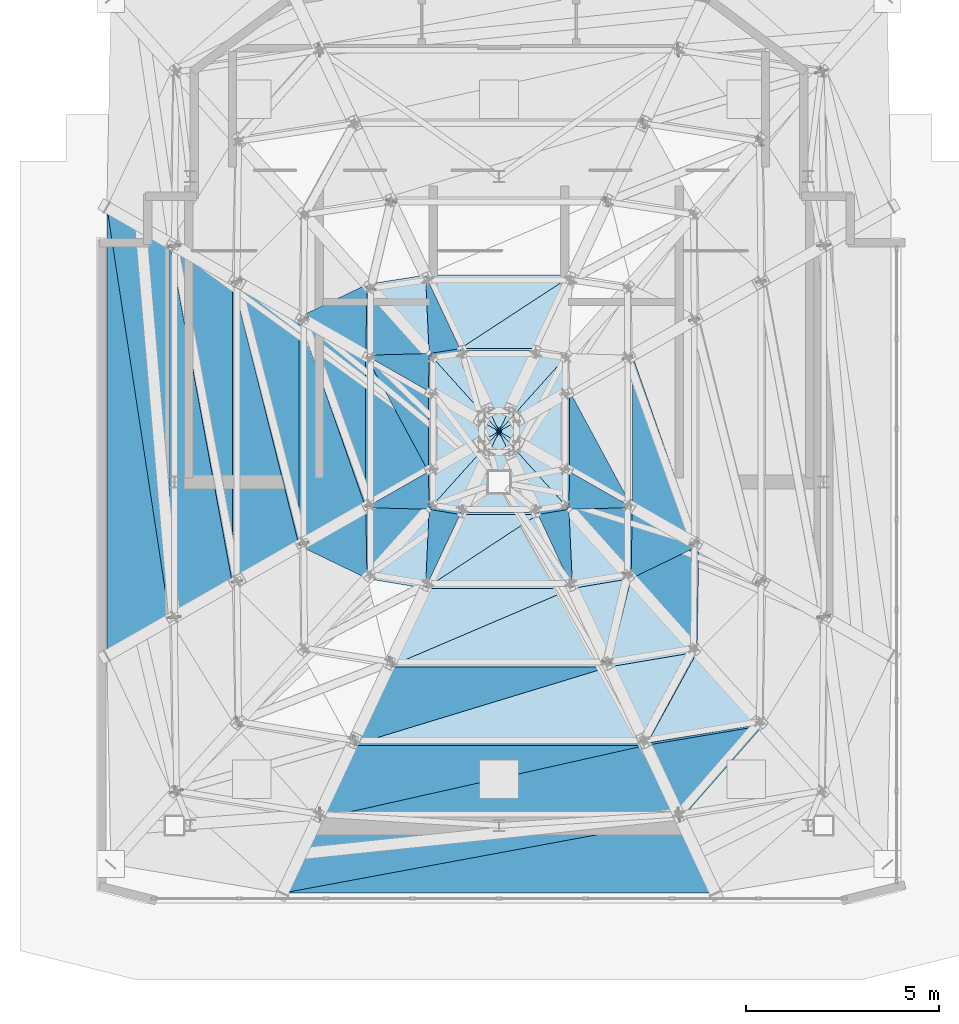
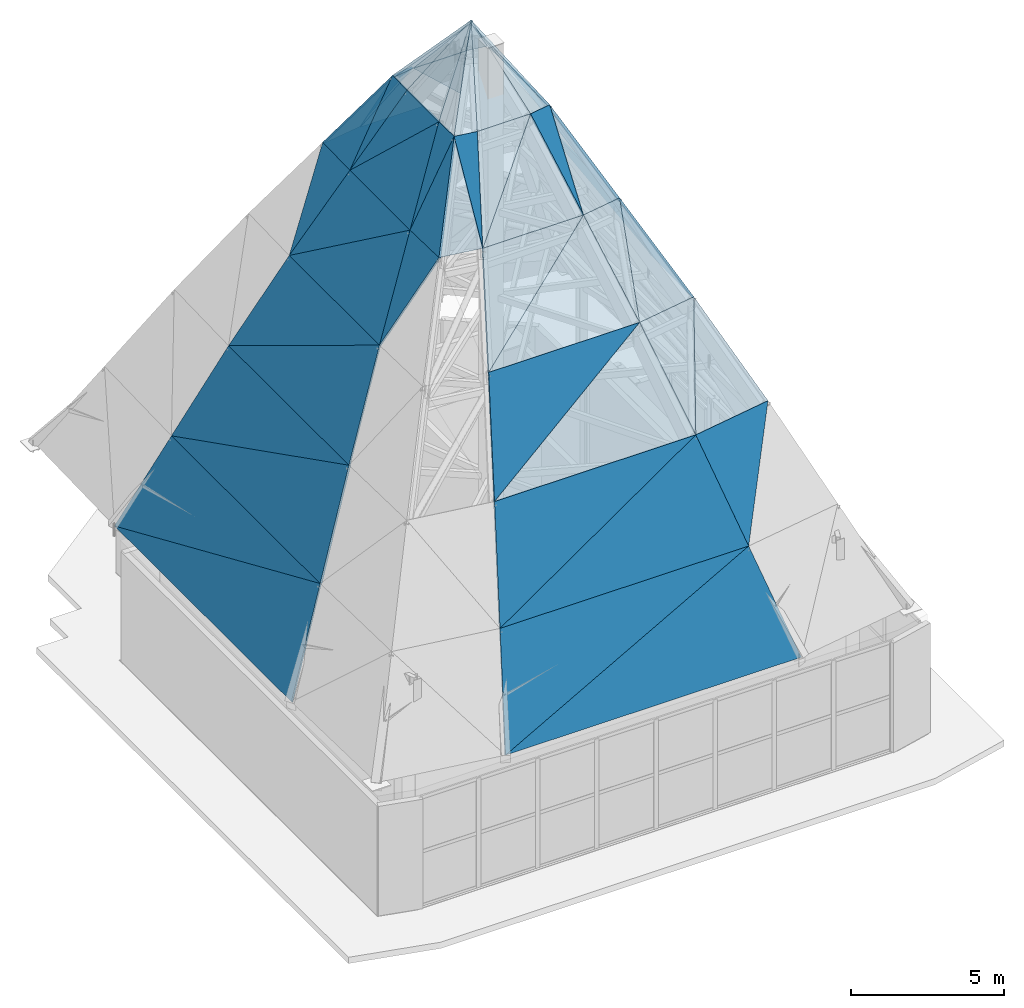
# One storey, part 27 of 30: 57 roofs.
"""IFC4 building model written with IfcOpenShell, lengths in metres."""

from ifc_helpers import new_model, si_unit, direction, frame, origin, place, context, subcontext, project, spatial, polyline, outline, extrude, material, layer, layer_set, type_object, element, save


model = new_model("IFC4")

# Units and contexts
model_context = context("Model", 3, precision=1e-05, world=origin(), true_north=direction((0.0, 1.0)))
body_context = subcontext(model_context, "Body", "Model", "MODEL_VIEW")
ifc_project = project(units=[si_unit("LENGTHUNIT", "METRE"), si_unit("AREAUNIT", "SQUARE_METRE"), si_unit("VOLUMEUNIT", "CUBIC_METRE"), si_unit("PLANEANGLEUNIT", "RADIAN"), si_unit("MASSUNIT", "GRAM", prefix="KILO")], contexts=[model_context])

# Site, building, storey
site_placement = place(None, origin())
site = spatial("IfcSite", under=ifc_project, at=site_placement, CompositionType="ELEMENT")
building_placement = place(site_placement, origin())
building = spatial("IfcBuilding", under=site, at=building_placement, Name="Haolan Belvedere Tower", CompositionType="ELEMENT")
storey_placement = place(building_placement, frame((0.0, 0.0, 333.0)))
storey = spatial("IfcBuildingStorey", under=building, at=storey_placement, Name="L83", CompositionType="ELEMENT", Elevation=333.0)

# Roofs
ifc_material_1 = material(Name="Anodised pale-metal champagne-silver aluminium cap", Category="aluminium")
ifc_layer_1 = layer(ifc_material_1, 0.1201171875, Name="Anodised pale-metal champagne-silver aluminium cap")
ifc_layer_set_1 = layer_set([ifc_layer_1], Name="Anodised pale-metal champagne-silver aluminium cap")
roof_type_1 = type_object("IfcRoofType", Name="ROOF-CRN-CAP", PredefinedType="PAVILION_ROOF", material=ifc_layer_set_1)
roof_1_placement = place(storey_placement, frame((36.591064453125, 34.583984375, 22.199951171875), z_axis=(-0.128683770203, -0.763492676374, 0.632866036701), x_axis=(0.986091729408, -0.166201989138, 0.0)))
element("IfcRoof", 1, at=roof_1_placement, inside=storey, type_object=roof_type_1, Name="Crown glass-point apex pavilion cap facet 01", PredefinedType="PAVILION_ROOF", context=body_context, shape_type="SweptSolid", body=[
    extrude(outline(polyline([(0.0, 0.0), (0.8123234043409382, 0.0), (1.4485980461130445, 3.6164131979179306), (0.0, 0.0)])), origin(), (0.0, 0.0, -1.0), 0.080078125),
])
roof_2_placement = place(storey_placement, frame((37.39208984375, 34.448974609375, 22.199951171875), z_axis=(0.0, -0.793001681844, 0.60921944535), x_axis=(1.0, 0.0, 0.0)))
element("IfcRoof", 2, at=roof_2_placement, inside=storey, type_object=roof_type_1, Name="Crown glass-point apex pavilion cap facet 02", PredefinedType="PAVILION_ROOF", context=body_context, shape_type="SweptSolid", body=[
    extrude(outline(polyline([(0.0, 0.0), (2.015869140625, 0.0), (1.0078125, 3.530949419445281), (0.0, 0.0)])), origin(), (0.0, 0.0, -1.0), 0.080078125),
])
roof_3_placement = place(storey_placement, frame((39.407958984375, 34.448974609375, 22.199951171875), z_axis=(0.128682856441, -0.763487254941, 0.632872762885), x_axis=(0.986091729408, 0.166201989138, 0.0)))
element("IfcRoof", 3, at=roof_3_placement, inside=storey, type_object=roof_type_1, Name="Crown glass-point apex pavilion cap facet 03", PredefinedType="PAVILION_ROOF", context=body_context, shape_type="SweptSolid", body=[
    extrude(outline(polyline([(0.0, 0.0), (0.8123234043409382, 1.3877787807814457e-17), (-0.6365153868232312, 3.6164388776428122), (0.0, 0.0)])), origin(), (0.0, 0.0, -1.0), 0.080078125),
])
roof_4_placement = place(storey_placement, frame((40.208984375, 34.583984375, 22.199951171875), z_axis=(0.834710906419, -0.015515852066, 0.550469763966), x_axis=(0.018585083873, 0.999827282413, 0.0)))
element("IfcRoof", 4, at=roof_4_placement, inside=storey, type_object=roof_type_1, Name="Crown glass-point apex pavilion cap facet 04", PredefinedType="PAVILION_ROOF", context=body_context, shape_type="SweptSolid", body=[
    extrude(outline(polyline([(0.0, 0.0), (0.9720917254621317, 0.0), (1.9821431217450245, 3.35393390564384), (0.0, 0.0)])), origin(), (0.0, 0.0, -1.0), 0.080078125),
])
roof_5_placement = place(storey_placement, frame((40.22705078125, 35.555908203125, 22.199951171875), z_axis=(0.837469661126, 0.0, 0.546483821072), x_axis=(0.0, 1.0, 0.0)))
element("IfcRoof", 5, at=roof_5_placement, inside=storey, type_object=roof_type_1, Name="Crown glass-point apex pavilion cap facet 05", PredefinedType="PAVILION_ROOF", context=body_context, shape_type="SweptSolid", body=[
    extrude(outline(polyline([(0.0, 0.0), (2.088134765625, 0.0), (1.044189453125, 3.3434630030169137), (0.0, 0.0)])), origin(), (0.0, 0.0, -1.0), 0.080078125),
])
roof_6_placement = place(storey_placement, frame((40.22705078125, 37.64404296875, 22.199951171875), z_axis=(0.834711528031, 0.015515863621, 0.55046882105), x_axis=(-0.018585083873, 0.999827282413, 0.0)))
element("IfcRoof", 6, at=roof_6_placement, inside=storey, type_object=roof_type_1, Name="Crown glass-point apex pavilion cap facet 06", PredefinedType="PAVILION_ROOF", context=body_context, shape_type="SweptSolid", body=[
    extrude(outline(polyline([(0.0, 0.0), (0.9720917254621317, 0.0), (-1.0098072978252723, 3.3539314079587883), (0.0, 0.0)])), origin(), (0.0, 0.0, -1.0), 0.080078125),
])
roof_7_placement = place(storey_placement, frame((40.208984375, 38.615966796875, 22.199951171875), z_axis=(0.120631301694, 0.767037404761, 0.630160065975), x_axis=(-0.98785798906, 0.155359561827, 0.0)))
element("IfcRoof", 7, at=roof_7_placement, inside=storey, type_object=roof_type_1, Name="Crown glass-point apex pavilion cap facet 07", PredefinedType="PAVILION_ROOF", context=body_context, shape_type="SweptSolid", body=[
    extrude(outline(polyline([(0.0, 0.0), (0.8108709951189834, 1.3877787807814457e-17), (1.4739315910461934, 3.6061482627196604), (0.0, 0.0)])), origin(), (0.0, 0.0, -1.0), 0.080078125),
])
roof_8_placement = place(storey_placement, frame((39.407958984375, 38.741943359375, 22.199951171875), z_axis=(0.0, 0.794271333334, 0.607563205802), x_axis=(-1.0, 0.0, 0.0)))
element("IfcRoof", 8, at=roof_8_placement, inside=storey, type_object=roof_type_1, Name="Crown glass-point apex pavilion cap facet 08", PredefinedType="PAVILION_ROOF", context=body_context, shape_type="SweptSolid", body=[
    extrude(outline(polyline([(0.0, 0.0), (2.015869140625, 0.0), (1.008056640625, 3.525305157838001), (0.0, 0.0)])), origin(), (0.0, 0.0, -1.0), 0.080078125),
])
roof_9_placement = place(storey_placement, frame((37.39208984375, 38.741943359375, 22.199951171875), z_axis=(-0.120632101244, 0.767042488726, 0.630153724608), x_axis=(-0.98785798906, -0.155359561827, 0.0)))
element("IfcRoof", 9, at=roof_9_placement, inside=storey, type_object=roof_type_1, Name="Crown glass-point apex pavilion cap facet 09", PredefinedType="PAVILION_ROOF", context=body_context, shape_type="SweptSolid", body=[
    extrude(outline(polyline([(0.0, 0.0), (0.8108709951189834, 0.0), (-0.6628194196603499, 3.6061243611329576), (0.0, 0.0)])), origin(), (0.0, 0.0, -1.0), 0.080078125),
])
roof_10_placement = place(storey_placement, frame((36.591064453125, 38.615966796875, 22.199951171875), z_axis=(-0.834744968887, 0.015516485229, 0.55041809164), x_axis=(-0.018585083873, -0.999827282413, 0.0)))
element("IfcRoof", 10, at=roof_10_placement, inside=storey, type_object=roof_type_1, Name="Crown glass-point apex pavilion cap facet 10", PredefinedType="PAVILION_ROOF", context=body_context, shape_type="SweptSolid", body=[
    extrude(outline(polyline([(0.0, 0.0), (0.9720917254621317, 1.734723475976807e-18), (1.9819035606613964, 3.353797045559963), (0.0, 0.0)])), origin(), (0.0, 0.0, -1.0), 0.080078125),
])
roof_11_placement = place(storey_placement, frame((36.572998046875, 37.64404296875, 22.199951171875), z_axis=(-0.837503079622, 0.0, 0.546432604832), x_axis=(0.0, -1.0, 0.0)))
element("IfcRoof", 11, at=roof_11_placement, inside=storey, type_object=roof_type_1, Name="Crown glass-point apex pavilion cap facet 11", PredefinedType="PAVILION_ROOF", context=body_context, shape_type="SweptSolid", body=[
    extrude(outline(polyline([(0.0, 0.0), (2.088134765625, 0.0), (1.0439453125, 3.3433295903671425), (0.0, 0.0)])), origin(), (0.0, 0.0, -1.0), 0.080078125),
])
roof_12_placement = place(storey_placement, frame((36.572998046875, 35.555908203125, 22.199951171875), z_axis=(-0.834744347282, -0.015516473675, 0.550419034669), x_axis=(0.018585083873, -0.999827282413, 0.0)))
element("IfcRoof", 12, at=roof_12_placement, inside=storey, type_object=roof_type_1, Name="Crown glass-point apex pavilion cap facet 12", PredefinedType="PAVILION_ROOF", context=body_context, shape_type="SweptSolid", body=[
    extrude(outline(polyline([(0.0, 0.0), (0.9720917254621317, 0.0), (-1.0100559336568848, 3.353799543014837), (0.0, 0.0)])), origin(), (0.0, 0.0, -1.0), 0.080078125),
])
ifc_material_2 = material(Name="Double Low-E fritted laminated crown glazing", Category="glass")
ifc_layer_2 = layer(ifc_material_2, 0.06005859375, Name="Double Low-E fritted laminated crown glazing")
ifc_layer_set_2 = layer_set([ifc_layer_2], Name="Double Low-E fritted laminated crown glazing")
roof_type_2 = type_object("IfcRoofType", Name="ROOF-CRN-GLZ", PredefinedType="GABLE_ROOF", material=ifc_layer_set_2)
roof_13_placement = place(storey_placement, frame((32.800048828125, 24.64990234375, 4.800048828125), z_axis=(0.0, -0.883147512261, 0.46909537579), x_axis=(0.929883354326, 0.172558853953, 0.324869803567)))
element("IfcRoof", 13, at=roof_13_placement, inside=storey, type_object=roof_type_2, Name="Crown glass-point glazed facet T1-02.2", PredefinedType="GABLE_ROOF", context=body_context, shape_type="SweptSolid", body=[
    extrude(outline(polyline([(0.0, 0.0), (11.080911417746218, 0.0), (2.3326069599925767, 3.460760229505941), (0.0, 0.0)])), origin(), (0.0, 0.0, -1.0), 0.06005859375),
])
roof_14_placement = place(storey_placement, frame((28.25, 42.39990234375, 4.800048828125), z_axis=(-0.911533600006, 0.0, 0.41122560239), x_axis=(0.0, -1.0, 0.0)))
element("IfcRoof", 14, at=roof_14_placement, inside=storey, type_object=roof_type_2, Name="Crown glass-point glazed facet T1-11.1", PredefinedType="GABLE_ROOF", context=body_context, shape_type="SweptSolid", body=[
    extrude(outline(polyline([(0.0, 0.0), (11.599853515625, 0.0), (10.671875, 3.949227450971518), (0.0, 0.0)])), origin(), (0.0, 0.0, -1.0), 0.06005859375),
])
roof_15_placement = place(storey_placement, frame((33.696044921875, 26.56201171875, 8.39990234375), z_axis=(0.0, -0.883160691074, 0.469070563712), x_axis=(1.0, 0.0, 0.0)))
element("IfcRoof", 15, at=roof_15_placement, inside=storey, type_object=roof_type_2, Name="Crown glass-point glazed facet T2-02.1", PredefinedType="GABLE_ROOF", context=body_context, shape_type="SweptSolid", body=[
    extrude(outline(polyline([(0.0, 0.0), (9.407958984375, 0.0), (8.511962890625, 4.076378956439114), (0.0, 0.0)])), origin(), (0.0, 0.0, -1.0), 0.06005859375),
])
roof_16_placement = place(storey_placement, frame((43.10400390625, 26.56201171875, 8.39990234375), z_axis=(0.14463225552, -0.858511578023, 0.491974980119), x_axis=(0.440651533101, 0.501061807469, 0.744824335982)))
element("IfcRoof", 16, at=roof_16_placement, inside=storey, type_object=roof_type_2, Name="Crown glass-point glazed facet T2-03.2", PredefinedType="GABLE_ROOF", context=body_context, shape_type="SweptSolid", body=[
    extrude(outline(polyline([(0.0, 0.0), (4.833485537905814, 0.0), (3.244703273440354, 2.625180958303702), (0.0, 0.0)])), origin(), (0.0, 0.0, -1.0), 0.06005859375),
])
roof_17_placement = place(storey_placement, frame((29.8740234375, 41.471923828125, 8.39990234375), z_axis=(-0.911544053259, 0.0, 0.411202430644), x_axis=(0.168115697545, -0.912606409853, 0.372674996391)))
element("IfcRoof", 17, at=roof_17_placement, inside=storey, type_object=roof_type_2, Name="Crown glass-point glazed facet T2-11.2", PredefinedType="GABLE_ROOF", context=body_context, shape_type="SweptSolid", body=[
    extrude(outline(polyline([(0.0, 0.0), (9.660153461090314, 4.440892098500626e-16), (2.461569355639881, 3.224899330664804), (0.0, 0.0)])), origin(), (0.0, 0.0, -1.0), 0.06005859375),
])
roof_18_placement = place(storey_placement, frame((34.592041015625, 28.47412109375, 12.0), z_axis=(0.0, -0.870909117975, 0.491444104887), x_axis=(0.849788172052, 0.259052146089, 0.459077388082)))
element("IfcRoof", 18, at=roof_18_placement, inside=storey, type_object=roof_type_2, Name="Crown glass-point glazed facet T3-02.2", PredefinedType="GABLE_ROOF", context=body_context, shape_type="SweptSolid", body=[
    extrude(outline(polyline([(0.0, 0.0), (7.842027836078925, -8.881784197001252e-16), (2.9879033581752497, 3.0110175838982745), (0.0, 0.0)])), origin(), (0.0, 0.0, -1.0), 0.06005859375),
])
roof_19_placement = place(storey_placement, frame((42.2080078125, 28.47412109375, 12.0), z_axis=(0.142429438914, -0.845436046889, 0.514734636051), x_axis=(0.986104261488, 0.16612761804, 0.0)))
element("IfcRoof", 19, at=roof_19_placement, inside=storey, type_object=roof_type_2, Name="Crown glass-point glazed facet T3-03.1", PredefinedType="GABLE_ROOF", context=body_context, shape_type="SweptSolid", body=[
    extrude(outline(polyline([(0.0, 0.0), (3.0685182332390233, 0.0), (1.7000786998409736, 4.199101343812745), (0.0, 0.0)])), origin(), (0.0, 0.0, -1.0), 0.06005859375),
])
roof_20_placement = place(storey_placement, frame((31.498046875, 40.5439453125, 12.0), z_axis=(-0.901787230262, 0.0, 0.432180276432), x_axis=(0.0, -1.0, 0.0)))
element("IfcRoof", 20, at=roof_20_placement, inside=storey, type_object=roof_type_2, Name="Crown glass-point glazed facet T3-11.1", PredefinedType="GABLE_ROOF", context=body_context, shape_type="SweptSolid", body=[
    extrude(outline(polyline([(0.0, 0.0), (7.887939453125, 0.0), (6.90185546875, 3.9921807888146295), (0.0, 0.0)])), origin(), (0.0, 0.0, -1.0), 0.06005859375),
])
roof_21_placement = place(storey_placement, frame((35.5439453125, 30.505615234375, 15.60009765625), z_axis=(0.0, -0.858432445157, 0.512926639103), x_axis=(1.0, 0.0, 0.0)))
element("IfcRoof", 21, at=roof_21_placement, inside=storey, type_object=roof_type_2, Name="Crown glass-point glazed facet T4-02.1", PredefinedType="GABLE_ROOF", context=body_context, shape_type="SweptSolid", body=[
    extrude(outline(polyline([(0.0, 0.0), (5.712158203125, 0.0), (4.760009765625, 3.9605939441490907), (0.0, 0.0)])), origin(), (0.0, 0.0, -1.0), 0.06005859375),
])
roof_22_placement = place(storey_placement, frame((41.256103515625, 30.505615234375, 15.60009765625), z_axis=(0.140195260966, -0.832174360351, 0.536498949465), x_axis=(0.135608199582, 0.552882363555, 0.822150538694)))
element("IfcRoof", 22, at=roof_22_placement, inside=storey, type_object=roof_type_2, Name="Crown glass-point glazed facet T4-03.2", PredefinedType="GABLE_ROOF", context=body_context, shape_type="SweptSolid", body=[
    extrude(outline(polyline([(0.0, 0.0), (4.135376897215491, 1.1102230246251565e-16), (3.7892896900957567, 1.4947155856543903), (0.0, 0.0)])), origin(), (0.0, 0.0, -1.0), 0.06005859375),
])
roof_23_placement = place(storey_placement, frame((43.525390625, 30.887939453125, 15.60009765625), z_axis=(0.889671899285, -0.016482707823, 0.456302785402), x_axis=(0.018523547619, 0.999828424373, 0.0)))
element("IfcRoof", 23, at=roof_23_placement, inside=storey, type_object=roof_type_2, Name="Crown glass-point glazed facet T4-04.1", PredefinedType="GABLE_ROOF", context=body_context, shape_type="SweptSolid", body=[
    extrude(outline(polyline([(0.0, 0.0), (2.754623016797085, 0.0), (1.8720786365826325, 3.820868126895716), (0.0, 0.0)])), origin(), (0.0, 0.0, -1.0), 0.06005859375),
])
roof_24_placement = place(storey_placement, frame((43.576416015625, 33.64208984375, 15.60009765625), z_axis=(0.891747479315, 0.0, 0.452533350303), x_axis=(-0.276842960683, 0.791041446877, 0.545537720458)))
element("IfcRoof", 24, at=roof_24_placement, inside=storey, type_object=roof_type_2, Name="Crown glass-point glazed facet T4-05.2", PredefinedType="GABLE_ROOF", context=body_context, shape_type="SweptSolid", body=[
    extrude(outline(polyline([(0.0, 0.0), (6.232203963632457, -4.440892098500626e-16), (3.1122638820163657, 2.412847692935061), (0.0, 0.0)])), origin(), (0.0, 0.0, -1.0), 0.06005859375),
])
roof_25_placement = place(storey_placement, frame((33.223388671875, 39.55810546875, 15.60009765625), z_axis=(-0.891721637689, 0.0, 0.452584269366), x_axis=(0.276870552121, -0.79104752823, 0.545514899383)))
element("IfcRoof", 25, at=roof_25_placement, inside=storey, type_object=roof_type_2, Name="Crown glass-point glazed facet T4-11.2", PredefinedType="GABLE_ROOF", context=body_context, shape_type="SweptSolid", body=[
    extrude(outline(polyline([(0.0, 0.0), (6.23246468170968, -4.440892098500626e-16), (3.1125006146777303, 2.4128166782012515), (0.0, 0.0)])), origin(), (0.0, 0.0, -1.0), 0.06005859375),
])
roof_26_placement = place(storey_placement, frame((34.98291015625, 32.7919921875, 19.0), z_axis=(-0.140175465597, -0.832191126219, 0.536478115384), x_axis=(0.986108652077, -0.166101554174, 0.0)))
element("IfcRoof", 26, at=roof_26_placement, inside=storey, type_object=roof_type_2, Name="Crown glass-point glazed facet T5-01.1", PredefinedType="GABLE_ROOF", context=body_context, shape_type="SweptSolid", body=[
    extrude(outline(polyline([(0.0, 0.0), (1.5344998652662292, 2.7755575615628914e-17), (1.2881621786124064, 3.7917966647217893), (0.0, 0.0)])), origin(), (0.0, 0.0, -1.0), 0.06005859375),
])
roof_27_placement = place(storey_placement, frame((36.49609375, 32.537109375, 19.0), z_axis=(0.0, -0.858450752929, 0.512895998031), x_axis=(0.615602910529, 0.404191028117, 0.676507700872)))
element("IfcRoof", 27, at=roof_27_placement, inside=storey, type_object=roof_type_2, Name="Crown glass-point glazed facet T5-02.2", PredefinedType="GABLE_ROOF", context=body_context, shape_type="SweptSolid", body=[
    extrude(outline(polyline([(0.0, 0.0), (4.7301030982376835, 4.440892098500626e-16), (3.4891281880243445, 1.588618791386144), (0.0, 0.0)])), origin(), (0.0, 0.0, -1.0), 0.06005859375),
])
roof_28_placement = place(storey_placement, frame((40.303955078125, 32.537109375, 19.0), z_axis=(0.140197590429, -0.832188187631, 0.536476892331), x_axis=(0.986104261488, 0.16612761804, 0.0)))
element("IfcRoof", 28, at=roof_28_placement, inside=storey, type_object=roof_type_2, Name="Crown glass-point glazed facet T5-03.1", PredefinedType="GABLE_ROOF", context=body_context, shape_type="SweptSolid", body=[
    extrude(outline(polyline([(0.0, 0.0), (1.5342591166195116, 0.0), (0.2463914531073647, 3.7917931713500517), (0.0, 0.0)])), origin(), (0.0, 0.0, -1.0), 0.06005859375),
])
roof_29_placement = place(storey_placement, frame((41.85107421875, 34.6279296875, 19.0), z_axis=(0.889665029011, -0.016537355475, 0.456314203185), x_axis=(-0.438153264215, 0.250363884137, 0.863330552325)))
element("IfcRoof", 29, at=roof_29_placement, inside=storey, type_object=roof_type_2, Name="Crown glass-point glazed facet T5-04.2", PredefinedType="GABLE_ROOF", context=body_context, shape_type="SweptSolid", body=[
    extrude(outline(polyline([(0.0, 0.0), (3.7065190884973305, 1.1102230246251565e-16), (3.4711003186734946, 0.9431544547562591), (0.0, 0.0)])), origin(), (0.0, 0.0, -1.0), 0.06005859375),
])
roof_30_placement = place(storey_placement, frame((40.303955078125, 40.64599609375, 19.0), z_axis=(0.0, 0.859373150284, 0.511348989019), x_axis=(-0.616013447982, -0.402807820979, 0.676958854926)))
element("IfcRoof", 30, at=roof_30_placement, inside=storey, type_object=roof_type_2, Name="Crown glass-point glazed facet T5-08.2", PredefinedType="GABLE_ROOF", context=body_context, shape_type="SweptSolid", body=[
    extrude(outline(polyline([(0.0, 0.0), (4.726950757182358, -2.220446049250313e-16), (3.4851482571846013, 1.587971959174184), (0.0, 0.0)])), origin(), (0.0, 0.0, -1.0), 0.06005859375),
])
roof_31_placement = place(storey_placement, frame((36.49609375, 40.64599609375, 19.0), z_axis=(-0.131403722829, 0.835323358047, 0.533823893365), x_axis=(-0.987851971872, -0.155397817453, 0.0)))
element("IfcRoof", 31, at=roof_31_placement, inside=storey, type_object=roof_type_2, Name="Crown glass-point glazed facet T5-09.1", PredefinedType="GABLE_ROOF", context=body_context, shape_type="SweptSolid", body=[
    extrude(outline(polyline([(0.0, 0.0), (1.5317918441595682, 0.0), (0.22164512574834505, 3.784256772635685), (0.0, 0.0)])), origin(), (0.0, 0.0, -1.0), 0.06005859375),
])
roof_32_placement = place(storey_placement, frame((34.948974609375, 38.572021484375, 19.0), z_axis=(-0.889665029011, 0.016537355475, 0.456314203185), x_axis=(0.438153264215, -0.250363884137, 0.863330552325)))
element("IfcRoof", 32, at=roof_32_placement, inside=storey, type_object=roof_type_2, Name="Crown glass-point glazed facet T5-10.2", PredefinedType="GABLE_ROOF", context=body_context, shape_type="SweptSolid", body=[
    extrude(outline(polyline([(0.0, 0.0), (3.7065190884973305, 1.1102230246251565e-16), (3.4711003186734946, 0.9431544547562591), (0.0, 0.0)])), origin(), (0.0, 0.0, -1.0), 0.06005859375),
])
roof_33_placement = place(storey_placement, frame((34.948974609375, 38.572021484375, 19.0), z_axis=(-0.89173055732, 0.0, 0.452566694689), x_axis=(0.0, -1.0, 0.0)))
element("IfcRoof", 33, at=roof_33_placement, inside=storey, type_object=roof_type_2, Name="Crown glass-point glazed facet T5-11.1", PredefinedType="GABLE_ROOF", context=body_context, shape_type="SweptSolid", body=[
    extrude(outline(polyline([(0.0, 0.0), (3.944091796875, 0.0), (3.01611328125, 3.5884731610997878), (0.0, 0.0)])), origin(), (0.0, 0.0, -1.0), 0.06005859375),
])
roof_34_placement = place(storey_placement, frame((34.948974609375, 34.6279296875, 19.0), z_axis=(-0.889665029011, -0.016537355475, 0.456314203185), x_axis=(0.456522342157, -0.012217368657, 0.889628061054)))
element("IfcRoof", 34, at=roof_34_placement, inside=storey, type_object=roof_type_2, Name="Crown glass-point glazed facet T5-12.2", PredefinedType="GABLE_ROOF", context=body_context, shape_type="SweptSolid", body=[
    extrude(outline(polyline([(0.0, 0.0), (3.596953954086959, 6.938893903907228e-18), (3.5768318842764466, 0.971883442095031), (0.0, 0.0)])), origin(), (0.0, 0.0, -1.0), 0.06005859375),
])
ifc_material_3 = material(Name="Anodised pale-metal aluminium and laminated Low-E crown glass", Category="aluminium")
ifc_layer_3 = layer(ifc_material_3, 0.080078125, Name="Anodised pale-metal aluminium and laminated Low-E crown glass")
ifc_layer_set_3 = layer_set([ifc_layer_3], Name="Anodised pale-metal aluminium and laminated Low-E crown glass")
roof_type_3 = type_object("IfcRoofType", Name="ROOF-CRN-HIP", PredefinedType="HIP_ROOF", material=ifc_layer_set_3)
roof_35_placement = place(storey_placement, frame((32.800048828125, 24.64990234375, 4.800048828125), z_axis=(0.0, -0.883147512261, 0.46909537579), x_axis=(1.0, 0.0, 0.0)))
element("IfcRoof", 35, at=roof_35_placement, inside=storey, type_object=roof_type_3, Name="Crown glass-point sloped hip facet T1-02.1", PredefinedType="HIP_ROOF", context=body_context, shape_type="SweptSolid", body=[
    extrude(outline(polyline([(0.0, 0.0), (11.199951171875, 0.0), (10.303955078125, 4.076163342644718), (0.0, 0.0)])), origin(), (0.0, 0.0, -1.0), 0.080078125),
])
roof_36_placement = place(storey_placement, frame((28.25, 42.39990234375, 4.800048828125), z_axis=(-0.911533600006, 0.0, 0.41122560239), x_axis=(0.142719079619, -0.937843717422, 0.316354905138)))
element("IfcRoof", 36, at=roof_36_placement, inside=storey, type_object=roof_type_3, Name="Crown glass-point sloped hip facet T1-11.2", PredefinedType="HIP_ROOF", context=body_context, shape_type="SweptSolid", body=[
    extrude(outline(polyline([(0.0, 0.0), (11.37916136958836, 0.0), (2.2409092685065763, 3.3816959111206155), (0.0, 0.0)])), origin(), (0.0, 0.0, -1.0), 0.080078125),
])
roof_37_placement = place(storey_placement, frame((33.696044921875, 26.56201171875, 8.39990234375), z_axis=(0.0, -0.883160691074, 0.469070563712), x_axis=(0.901909735232, 0.202603098992, 0.381458796952)))
element("IfcRoof", 37, at=roof_37_placement, inside=storey, type_object=roof_type_3, Name="Crown glass-point sloped hip facet T2-02.2", PredefinedType="HIP_ROOF", context=body_context, shape_type="SweptSolid", body=[
    extrude(outline(polyline([(0.0, 0.0), (9.437710402840127, 4.440892098500626e-16), (2.568795805532334, 3.289523142644596), (0.0, 0.0)])), origin(), (0.0, 0.0, -1.0), 0.080078125),
])
roof_38_placement = place(storey_placement, frame((29.8740234375, 41.471923828125, 8.39990234375), z_axis=(-0.911544053259, 0.0, 0.411202430644), x_axis=(0.0, -1.0, 0.0)))
element("IfcRoof", 38, at=roof_38_placement, inside=storey, type_object=roof_type_3, Name="Crown glass-point sloped hip facet T2-11.1", PredefinedType="HIP_ROOF", context=body_context, shape_type="SweptSolid", body=[
    extrude(outline(polyline([(0.0, 0.0), (9.743896484375, 0.0), (8.81591796875, 3.949449994630399), (0.0, 0.0)])), origin(), (0.0, 0.0, -1.0), 0.080078125),
])
roof_39_placement = place(storey_placement, frame((34.592041015625, 28.47412109375, 12.0), z_axis=(0.0, -0.870909117975, 0.491444104887), x_axis=(1.0, 0.0, 0.0)))
element("IfcRoof", 39, at=roof_39_placement, inside=storey, type_object=roof_type_3, Name="Crown glass-point sloped hip facet T3-02.1", PredefinedType="HIP_ROOF", context=body_context, shape_type="SweptSolid", body=[
    extrude(outline(polyline([(0.0, 0.0), (7.615966796875, 0.0), (6.6640625, 4.133723693950825), (0.0, 0.0)])), origin(), (0.0, 0.0, -1.0), 0.080078125),
])
roof_40_placement = place(storey_placement, frame((42.2080078125, 28.47412109375, 12.0), z_axis=(0.142437150646, -0.845436344351, 0.514732013543), x_axis=(0.290800089896, 0.532828111343, 0.794688310899)))
element("IfcRoof", 40, at=roof_40_placement, inside=storey, type_object=roof_type_3, Name="Crown glass-point sloped hip facet T3-03.2", PredefinedType="HIP_ROOF", context=body_context, shape_type="SweptSolid", body=[
    extrude(outline(polyline([(0.0, 0.0), (4.530200843369196, 0.0), (3.6665788565653665, 2.133071226407442), (0.0, 0.0)])), origin(), (0.0, 0.0, -1.0), 0.080078125),
])
roof_41_placement = place(storey_placement, frame((31.498046875, 40.5439453125, 12.0), z_axis=(-0.901787230262, 0.0, 0.432180276432), x_axis=(0.216390600836, -0.86562364308, 0.451520560341)))
element("IfcRoof", 41, at=roof_41_placement, inside=storey, type_object=roof_type_3, Name="Crown glass-point sloped hip facet T3-11.2", PredefinedType="HIP_ROOF", context=body_context, shape_type="SweptSolid", body=[
    extrude(outline(polyline([(0.0, 0.0), (7.973275133976934, 0.0), (2.8522321361479275, 2.962120775665748), (0.0, 0.0)])), origin(), (0.0, 0.0, -1.0), 0.080078125),
])
roof_42_placement = place(storey_placement, frame((35.5439453125, 30.505615234375, 15.60009765625), z_axis=(0.0, -0.858432445157, 0.512926639103), x_axis=(0.768704017218, 0.328070273748, 0.54905740082)))
element("IfcRoof", 42, at=roof_42_placement, inside=storey, type_object=roof_type_3, Name="Crown glass-point sloped hip facet T4-02.2", PredefinedType="HIP_ROOF", context=body_context, shape_type="SweptSolid", body=[
    extrude(outline(polyline([(0.0, 0.0), (6.192253011568231, 0.0), (3.265134711628095, 2.4355258882601643), (0.0, 0.0)])), origin(), (0.0, 0.0, -1.0), 0.080078125),
])
roof_43_placement = place(storey_placement, frame((41.256103515625, 30.505615234375, 15.60009765625), z_axis=(0.140202747729, -0.832174035848, 0.536497496351), x_axis=(0.986102797499, 0.166136307787, 0.0)))
element("IfcRoof", 43, at=roof_43_placement, inside=storey, type_object=roof_type_3, Name="Crown glass-point sloped hip facet T4-03.1", PredefinedType="HIP_ROOF", context=body_context, shape_type="SweptSolid", body=[
    extrude(outline(polyline([(0.0, 0.0), (2.301268300963262, 0.0), (0.9328478145221355, 4.0287885321725305), (0.0, 0.0)])), origin(), (0.0, 0.0, -1.0), 0.080078125),
])
roof_44_placement = place(storey_placement, frame((43.576416015625, 33.64208984375, 15.60009765625), z_axis=(0.889678872447, -0.016563170498, 0.456286275603), x_axis=(-0.438123915897, 0.2503388103, 0.863352717246)))
element("IfcRoof", 44, at=roof_44_placement, inside=storey, type_object=roof_type_3, Name="Crown glass-point sloped hip facet T4-04.2", PredefinedType="HIP_ROOF", context=body_context, shape_type="SweptSolid", body=[
    extrude(outline(polyline([(0.0, 0.0), (3.938022404787157, 0.0), (3.4933909337832416, 1.7816109591986524), (0.0, 0.0)])), origin(), (0.0, 0.0, -1.0), 0.080078125),
])
roof_45_placement = place(storey_placement, frame((33.223388671875, 39.55810546875, 15.60009765625), z_axis=(-0.889668121509, 0.016444663416, 0.456311523651), x_axis=(0.438167208608, -0.250390118218, 0.863315866876)))
element("IfcRoof", 45, at=roof_45_placement, inside=storey, type_object=roof_type_3, Name="Crown glass-point sloped hip facet T4-10.2", PredefinedType="HIP_ROOF", context=body_context, shape_type="SweptSolid", body=[
    extrude(outline(polyline([(0.0, 0.0), (3.938190498055595, 2.220446049250313e-16), (3.493359334235679, 1.7815564433782543), (0.0, 0.0)])), origin(), (0.0, 0.0, -1.0), 0.080078125),
])
roof_46_placement = place(storey_placement, frame((33.223388671875, 39.55810546875, 15.60009765625), z_axis=(-0.891721637689, 0.0, 0.452584269366), x_axis=(0.0, -1.0, 0.0)))
element("IfcRoof", 46, at=roof_46_placement, inside=storey, type_object=roof_type_3, Name="Crown glass-point sloped hip facet T4-11.1", PredefinedType="HIP_ROOF", context=body_context, shape_type="SweptSolid", body=[
    extrude(outline(polyline([(0.0, 0.0), (5.916015625, 0.0), (4.93017578125, 3.812739536702513), (0.0, 0.0)])), origin(), (0.0, 0.0, -1.0), 0.080078125),
])
roof_47_placement = place(storey_placement, frame((33.223388671875, 33.64208984375, 15.60009765625), z_axis=(-0.889668600897, -0.016444672277, 0.456310588669), x_axis=(0.448689396315, -0.216780418755, 0.866997160133)))
element("IfcRoof", 47, at=roof_47_placement, inside=storey, type_object=roof_type_3, Name="Crown glass-point sloped hip facet T4-12.2", PredefinedType="HIP_ROOF", context=body_context, shape_type="SweptSolid", body=[
    extrude(outline(polyline([(0.0, 0.0), (3.921468835293185, 0.0), (3.508247015194005, 1.7891522720668234), (0.0, 0.0)])), origin(), (0.0, 0.0, -1.0), 0.080078125),
])
roof_48_placement = place(storey_placement, frame((36.49609375, 32.537109375, 19.0), z_axis=(-0.140260722196, -0.832179800224, 0.536473400932), x_axis=(0.233712023193, 0.498691785728, 0.834676699724)))
element("IfcRoof", 48, at=roof_48_placement, inside=storey, type_object=roof_type_3, Name="Crown glass-point sloped hip facet T5-01.2", PredefinedType="HIP_ROOF", context=body_context, shape_type="SweptSolid", body=[
    extrude(outline(polyline([(0.0, 0.0), (3.833761231064243, -5.551115123125783e-17), (3.713880227502779, 0.8034288134148212), (0.0, 0.0)])), origin(), (0.0, 0.0, -1.0), 0.080078125),
])
roof_49_placement = place(storey_placement, frame((36.49609375, 32.537109375, 19.0), z_axis=(0.0, -0.858450752929, 0.512895998031), x_axis=(1.0, 0.0, 0.0)))
element("IfcRoof", 49, at=roof_49_placement, inside=storey, type_object=roof_type_3, Name="Crown glass-point sloped hip facet T5-02.1", PredefinedType="HIP_ROOF", context=body_context, shape_type="SweptSolid", body=[
    extrude(outline(polyline([(0.0, 0.0), (3.807861328125, 0.0), (2.911865234375, 3.7275885203165817), (0.0, 0.0)])), origin(), (0.0, 0.0, -1.0), 0.080078125),
])
roof_50_placement = place(storey_placement, frame((40.303955078125, 32.537109375, 19.0), z_axis=(0.140260722196, -0.832179800224, 0.536473400932), x_axis=(-0.024993671388, 0.538681082053, 0.842138948291)))
element("IfcRoof", 50, at=roof_50_placement, inside=storey, type_object=roof_type_3, Name="Crown glass-point sloped hip facet T5-03.2", PredefinedType="HIP_ROOF", context=body_context, shape_type="SweptSolid", body=[
    extrude(outline(polyline([(0.0, 0.0), (3.7997900208381576, 0.0), (3.747083379590423, 0.810611696935366), (0.0, 0.0)])), origin(), (0.0, 0.0, -1.0), 0.080078125),
])
roof_51_placement = place(storey_placement, frame((41.81689453125, 32.7919921875, 19.0), z_axis=(0.889664795191, -0.016562908421, 0.456313732276), x_axis=(0.018613795846, 0.999826748294, 0.0)))
element("IfcRoof", 51, at=roof_51_placement, inside=storey, type_object=roof_type_3, Name="Crown glass-point sloped hip facet T5-04.1", PredefinedType="HIP_ROOF", context=body_context, shape_type="SweptSolid", body=[
    extrude(outline(polyline([(0.0, 0.0), (1.8362556344212666, -1.734723475976807e-18), (1.7617524104094393, 3.596182283677185), (0.0, 0.0)])), origin(), (0.0, 0.0, -1.0), 0.080078125),
])
roof_52_placement = place(storey_placement, frame((41.85107421875, 34.6279296875, 19.0), z_axis=(0.89173055732, 0.0, 0.452566694689), x_axis=(-0.346447117496, 0.643416670106, 0.682634150484)))
element("IfcRoof", 52, at=roof_52_placement, inside=storey, type_object=roof_type_3, Name="Crown glass-point sloped hip facet T5-05.2", PredefinedType="HIP_ROOF", context=body_context, shape_type="SweptSolid", body=[
    extrude(outline(polyline([(0.0, 0.0), (4.687651752558646, 0.0), (3.3441110349266734, 1.5985009038085456), (0.0, 0.0)])), origin(), (0.0, 0.0, -1.0), 0.080078125),
])
roof_53_placement = place(storey_placement, frame((40.303955078125, 40.64599609375, 19.0), z_axis=(0.0, 0.859373150284, 0.511348989019), x_axis=(-1.0, 0.0, 0.0)))
element("IfcRoof", 53, at=roof_53_placement, inside=storey, type_object=roof_type_3, Name="Crown glass-point sloped hip facet T5-08.1", PredefinedType="HIP_ROOF", context=body_context, shape_type="SweptSolid", body=[
    extrude(outline(polyline([(0.0, 0.0), (3.807861328125, 0.0), (2.911865234375, 3.7235875600910884), (0.0, 0.0)])), origin(), (0.0, 0.0, -1.0), 0.080078125),
])
roof_54_placement = place(storey_placement, frame((36.49609375, 40.64599609375, 19.0), z_axis=(-0.131371214999, 0.835327434905, 0.533825514906), x_axis=(0.025053327267, -0.535522920891, 0.844148998692)))
element("IfcRoof", 54, at=roof_54_placement, inside=storey, type_object=roof_type_3, Name="Crown glass-point sloped hip facet T5-09.2", PredefinedType="HIP_ROOF", context=body_context, shape_type="SweptSolid", body=[
    extrude(outline(polyline([(0.0, 0.0), (3.790742128265526, 5.551115123125783e-17), (3.7433471428123277, 0.809484704042727), (0.0, 0.0)])), origin(), (0.0, 0.0, -1.0), 0.080078125),
])
roof_55_placement = place(storey_placement, frame((34.98291015625, 40.407958984375, 19.0), z_axis=(-0.889665872683, 0.016444621849, 0.456315909646), x_axis=(-0.018480885735, -0.999829213847, 0.0)))
element("IfcRoof", 55, at=roof_55_placement, inside=storey, type_object=roof_type_3, Name="Crown glass-point sloped hip facet T5-10.1", PredefinedType="HIP_ROOF", context=body_context, shape_type="SweptSolid", body=[
    extrude(outline(polyline([(0.0, 0.0), (1.8362511062618738, 1.734723475976807e-18), (1.7619660242443085, 3.5961867963735497), (0.0, 0.0)])), origin(), (0.0, 0.0, -1.0), 0.080078125),
])
roof_56_placement = place(storey_placement, frame((34.948974609375, 38.572021484375, 19.0), z_axis=(-0.89173055732, 0.0, 0.452566694689), x_axis=(0.346447117496, -0.643416670106, 0.682634150484)))
element("IfcRoof", 56, at=roof_56_placement, inside=storey, type_object=roof_type_3, Name="Crown glass-point sloped hip facet T5-11.2", PredefinedType="HIP_ROOF", context=body_context, shape_type="SweptSolid", body=[
    extrude(outline(polyline([(0.0, 0.0), (4.687651752558646, 0.0), (3.3441110349266734, 1.5985009038085456), (0.0, 0.0)])), origin(), (0.0, 0.0, -1.0), 0.080078125),
])
roof_57_placement = place(storey_placement, frame((34.948974609375, 34.6279296875, 19.0), z_axis=(-0.889665872683, -0.016444621849, 0.456315909646), x_axis=(0.018480885735, -0.999829213847, 0.0)))
element("IfcRoof", 57, at=roof_57_placement, inside=storey, type_object=roof_type_3, Name="Crown glass-point sloped hip facet T5-12.1", PredefinedType="HIP_ROOF", context=body_context, shape_type="SweptSolid", body=[
    extrude(outline(polyline([(0.0, 0.0), (1.8362511062618738, -1.734723475976807e-18), (0.0742850820175653, 3.5961867963735497), (0.0, 0.0)])), origin(), (0.0, 0.0, -1.0), 0.080078125),
])

save(model, "model.ifc")
